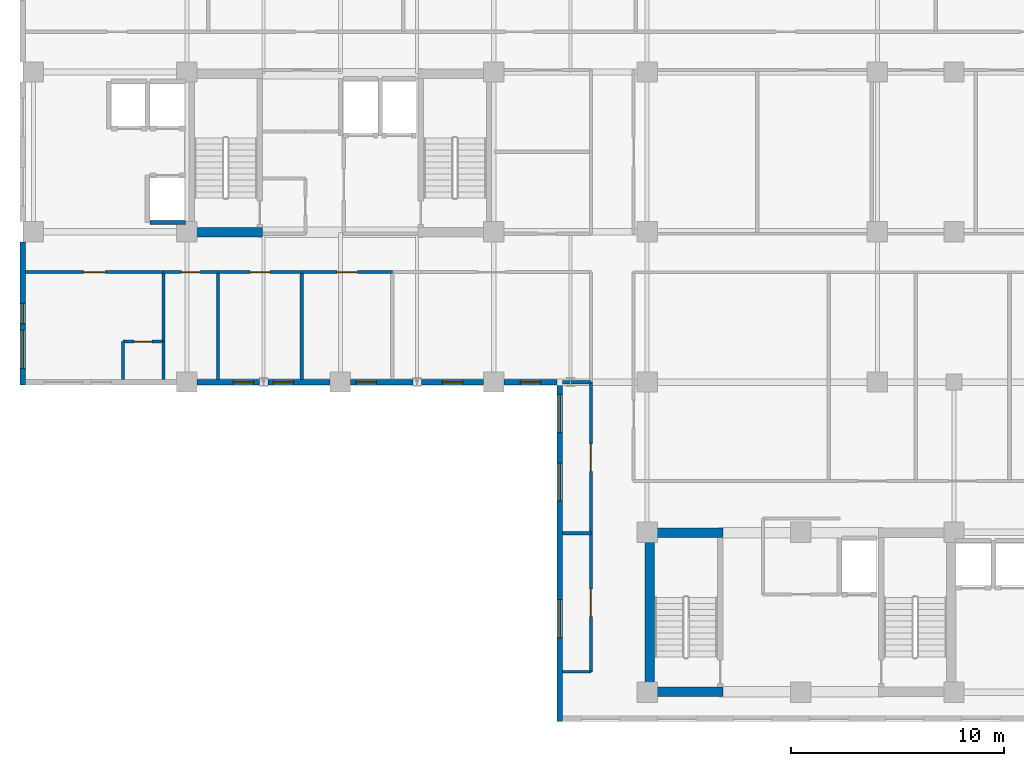
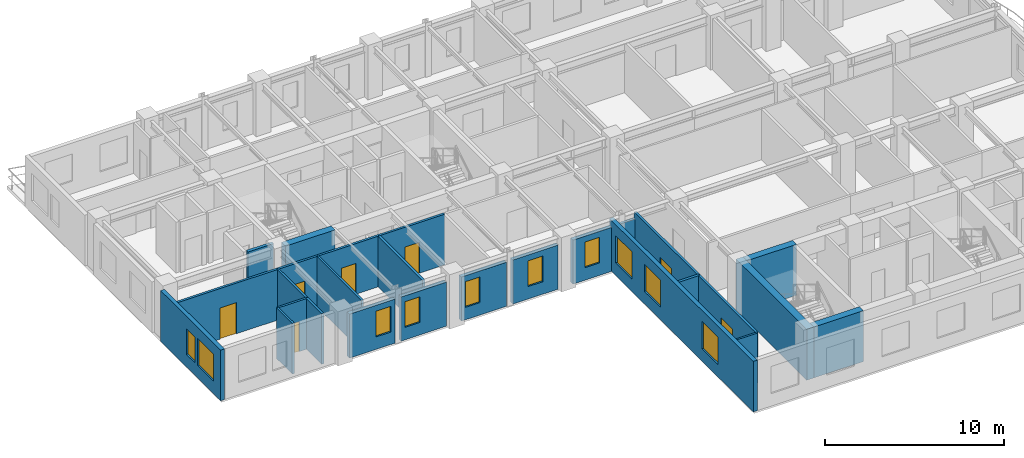
# One storey, part 5 of 13: 27 walls, 10 windows, 7 doors, 17 openings.
"""IFC4 building model written with IfcOpenShell, lengths in metres."""

from ifc_helpers import new_model, si_unit, direction, frame, frame_2d, origin, place, context, subcontext, project, spatial, rectangle, extrude, material, layer, layer_set, type_object, element, fill, save


model = new_model("IFC4")

# Units and contexts
model_context = context("Model", 3, precision=1e-05, world=origin(), true_north=direction((0.0, 1.0)))
body_context = subcontext(model_context, "Body", "Model", "MODEL_VIEW")
ifc_project = project(units=[si_unit("LENGTHUNIT", "METRE"), si_unit("AREAUNIT", "SQUARE_METRE"), si_unit("VOLUMEUNIT", "CUBIC_METRE"), si_unit("PLANEANGLEUNIT", "RADIAN"), si_unit("MASSUNIT", "GRAM", prefix="KILO")], contexts=[model_context])

# Site, building, storey
site_placement = place(None, origin())
site = spatial("IfcSite", under=ifc_project, at=site_placement, CompositionType="ELEMENT")
building_placement = place(site_placement, origin())
building = spatial("IfcBuilding", under=site, at=building_placement, Name="Kaliganga Portal Commons", CompositionType="ELEMENT")
storey_placement = place(building_placement, frame((0.0, 0.0, 209.199951171875)))
storey = spatial("IfcBuildingStorey", under=building, at=storey_placement, Name="L53", CompositionType="ELEMENT", Elevation=209.199951171875)

# Walls
ifc_material_1 = material(Name="Concrete C60/75", Category="concrete")
ifc_layer_1 = layer(ifc_material_1, 0.449951171875)
ifc_layer_set_1 = layer_set([ifc_layer_1], Name="Concrete C60/75")
wall_type_1 = type_object("IfcWallType", Name="WL-CORE-450", PredefinedType="SHEAR", material=ifc_layer_set_1)
wall_1_placement = place(storey_placement, frame((14.75, 28.625, 0.0), z_axis=(0.0, 0.0, 1.0), x_axis=(1.0, 0.0, 0.0)))
element("IfcWall", 1, at=wall_1_placement, inside=storey, type_object=wall_type_1, Name="Core A S-West Shear Wall L53", PredefinedType="SHEAR", context=body_context, shape_type="SweptSolid", body=[
    extrude(rectangle(XDim=3.199951171875, YDim=0.449951171875, at=frame_2d((1.60009765625, 0.0))), origin(), (0.0, 0.0, 1.0), 3.469970703125),
])
wall_2_placement = place(storey_placement, frame((36.125, 6.85009765625, 0.0), z_axis=(0.0, 0.0, 1.0), x_axis=(0.0, 1.0, 0.0)))
element("IfcWall", 2, at=wall_2_placement, inside=storey, type_object=wall_type_1, Name="Core B West Shear Wall L53", PredefinedType="SHEAR", context=body_context, shape_type="SweptSolid", body=[
    extrude(rectangle(XDim=7.89990234375, YDim=0.449951171875, at=frame_2d((3.949951171875, 0.0))), origin(), (0.0, 0.0, 1.0), 3.469970703125),
])
for number, where, z_axis, x_axis, name in (
    (3, (36.35009765625, 7.074951171875, 0.0), (0.0, 0.0, 1.0), (1.0, 0.0, 0.0), "Core B S-West Shear Wall L53"),
    (4, (36.35009765625, 14.52490234375, 0.0), (0.0, 0.0, 1.0), (1.0, 0.0, 0.0), "Core B N-West Shear Wall L53"),
):
    element("IfcWall", number, at=place(storey_placement, frame(where, z_axis=z_axis, x_axis=x_axis)), inside=storey, type_object=wall_type_1, Name=name, PredefinedType="SHEAR", context=body_context, shape_type="SweptSolid", body=[
        extrude(rectangle(XDim=3.199951171875, YDim=0.449951171875, at=frame_2d((1.60009765625, 0.0))), origin(), (0.0, 0.0, 1.0), 3.469970703125),
    ])

# Wall, openings, windows
ifc_material_2 = material(Name="Insulated Aluminium-Clad Spandrel Assembly", Category="aluminium")
ifc_layer_2 = layer(ifc_material_2, 0.260009765625)
ifc_layer_set_2 = layer_set([ifc_layer_2], Name="Insulated Aluminium-Clad Spandrel Assembly")
wall_type_2 = type_object("IfcWallType", Name="WL-EXT-SPAND-260", PredefinedType="STANDARD", material=ifc_layer_set_2)
wall_3_placement = place(storey_placement, frame((6.699951171875, 21.469970703125, 0.0), z_axis=(0.0, 0.0, 1.0), x_axis=(0.0, 1.0, 0.0)))
wall_3 = element("IfcWall", 5, at=wall_3_placement, inside=storey, type_object=wall_type_2, Name="Exterior Envelope Wall L53 P1-E03-S3", PredefinedType="STANDARD", context=body_context, shape_type="SweptSolid", body=[
    extrude(rectangle(XDim=6.7041015625, YDim=0.260009765625, at=frame_2d((3.35205078125, 0.0))), origin(), (0.0, 0.0, 1.0), 3.449951171875),
])
opening_1_placement = place(wall_3_placement, frame((0.77587890625, 0.0, 0.85009765625)))
opening_1 = element("IfcOpeningElement", 6, at=opening_1_placement, cuts=wall_3, Name="Opening W-01", PredefinedType="OPENING", context=body_context, shape_type="SweptSolid", body=[
    extrude(rectangle(XDim=1.800048828125, YDim=1.85009765625, at=frame_2d((0.89990234375, 0.925048828125))), frame((0.0, 0.14013671875, 0.0), z_axis=(0.0, -1.0, 0.0), x_axis=(1.0, 0.0, 0.0)), (0.0, 0.0, 1.0), 0.280029296875),
])
opening_2_placement = place(wall_3_placement, frame((2.876953125, 0.0, 0.85009765625)))
opening_2 = element("IfcOpeningElement", 7, at=opening_2_placement, cuts=wall_3, Name="Opening W-04", PredefinedType="OPENING", context=body_context, shape_type="SweptSolid", body=[
    extrude(rectangle(XDim=0.949951171875, YDim=1.75, at=frame_2d((0.47509765625, 0.875))), frame((0.0, 0.14013671875, 0.0), z_axis=(0.0, -1.0, 0.0), x_axis=(1.0, 0.0, 0.0)), (0.0, 0.0, 1.0), 0.280029296875),
])
ifc_material_3 = material(Name="Thermally Broken Aluminium and Low-E Double Glazing", Category="aluminium")
window_type_1 = type_object("IfcWindowType", Name="WIN-NARROW-950", PartitioningType="SINGLE_PANEL", PredefinedType="WINDOW", material=ifc_material_3)
window_1_placement = place(opening_2_placement, origin())
window_1 = element("IfcWindow", 8, at=window_1_placement, inside=storey, type_object=window_type_1, Name="Facade Window L53-P1E03S3-N0", OverallHeight=1.75, OverallWidth=0.949951171875, PartitioningType="SINGLE_PANEL", PredefinedType="WINDOW", context=body_context, shape_type="SweptSolid", body=[
    extrude(rectangle(XDim=0.949951171875, YDim=1.75, at=frame_2d((0.47509765625, 0.875))), frame((0.0, 0.030029296875, 0.0), z_axis=(0.0, -1.0, 0.0), x_axis=(1.0, 0.0, 0.0)), (0.0, 0.0, 1.0), 0.06005859375),
])
fill(opening_2, window_1)
window_type_2 = type_object("IfcWindowType", Name="WIN-STD-1800", PartitioningType="DOUBLE_PANEL_VERTICAL", PredefinedType="WINDOW", material=ifc_material_3)
window_2_placement = place(opening_1_placement, origin())
window_2 = element("IfcWindow", 9, at=window_2_placement, inside=storey, type_object=window_type_2, Name="Facade Window L53-P1E03S3-00", OverallHeight=1.85009765625, OverallWidth=1.800048828125, PartitioningType="SINGLE_PANEL", PredefinedType="WINDOW", context=body_context, shape_type="SweptSolid", body=[
    extrude(rectangle(XDim=1.800048828125, YDim=1.85009765625, at=frame_2d((0.89990234375, 0.925048828125))), frame((0.0, 0.030029296875, 0.0), z_axis=(0.0, -1.0, 0.0), x_axis=(1.0, 0.0, 0.0)), (0.0, 0.0, 1.0), 0.06005859375),
])
fill(opening_1, window_2)

# Wall, opening, window
wall_4_placement = place(storey_placement, frame((17.799560546875, 21.60009765625, 0.0), z_axis=(0.0, 0.0, 1.0), x_axis=(-1.0, 0.0, 0.0)))
wall_4 = element("IfcWall", 10, at=wall_4_placement, inside=storey, type_object=wall_type_2, Name="Exterior Envelope Wall L53 P1-E04-S2", PredefinedType="STANDARD", context=body_context, shape_type="SweptSolid", body=[
    extrude(rectangle(XDim=2.923583984375, YDim=0.260009765625, at=frame_2d((1.4619140625, 0.0))), origin(), (0.0, 0.0, 1.0), 3.0),
])
opening_3_placement = place(wall_4_placement, frame((0.26171875, 0.0, 0.85009765625)))
opening_3 = element("IfcOpeningElement", 11, at=opening_3_placement, cuts=wall_4, Name="Opening W-04", PredefinedType="OPENING", context=body_context, shape_type="SweptSolid", body=[
    extrude(rectangle(XDim=0.949951171875, YDim=1.75, at=frame_2d((0.47509765625, 0.875))), frame((0.0, 0.14013671875, 0.0), z_axis=(0.0, -1.0, 0.0), x_axis=(1.0, 0.0, 0.0)), (0.0, 0.0, 1.0), 0.280029296875),
])
window_3_placement = place(opening_3_placement, origin())
window_3 = element("IfcWindow", 12, at=window_3_placement, inside=storey, type_object=window_type_1, Name="Facade Window L53-P1E04S2-N1", OverallHeight=1.75, OverallWidth=0.949951171875, PartitioningType="SINGLE_PANEL", PredefinedType="WINDOW", context=body_context, shape_type="SweptSolid", body=[
    extrude(rectangle(XDim=0.949951171875, YDim=1.75, at=frame_2d((0.47509765625, 0.875))), frame((0.0, 0.030029296875, 0.0), z_axis=(0.0, -1.0, 0.0), x_axis=(1.0, 0.0, 0.0)), (0.0, 0.0, 1.0), 0.06005859375),
])
fill(opening_3, window_3)

wall_5_placement = place(storey_placement, frame((21.1240234375, 21.60009765625, 0.0), z_axis=(0.0, 0.0, 1.0), x_axis=(-1.0, 0.0, 0.0)))
wall_5 = element("IfcWall", 13, at=wall_5_placement, inside=storey, type_object=wall_type_2, Name="Exterior Envelope Wall L53 P1-E04-S3", PredefinedType="STANDARD", context=body_context, shape_type="SweptSolid", body=[
    extrude(rectangle(XDim=2.923583984375, YDim=0.260009765625, at=frame_2d((1.4619140625, 0.0))), origin(), (0.0, 0.0, 1.0), 3.0),
])
opening_4_placement = place(wall_5_placement, frame((1.7119140625, 0.0, 0.85009765625)))
opening_4 = element("IfcOpeningElement", 14, at=opening_4_placement, cuts=wall_5, Name="Opening W-04", PredefinedType="OPENING", context=body_context, shape_type="SweptSolid", body=[
    extrude(rectangle(XDim=0.949951171875, YDim=1.75, at=frame_2d((0.47509765625, 0.875))), frame((0.0, 0.14013671875, 0.0), z_axis=(0.0, -1.0, 0.0), x_axis=(1.0, 0.0, 0.0)), (0.0, 0.0, 1.0), 0.280029296875),
])
window_4_placement = place(opening_4_placement, origin())
window_4 = element("IfcWindow", 15, at=window_4_placement, inside=storey, type_object=window_type_1, Name="Facade Window L53-P1E04S3-N2", OverallHeight=1.75, OverallWidth=0.949951171875, PartitioningType="SINGLE_PANEL", PredefinedType="WINDOW", context=body_context, shape_type="SweptSolid", body=[
    extrude(rectangle(XDim=0.949951171875, YDim=1.75, at=frame_2d((0.47509765625, 0.875))), frame((0.0, 0.030029296875, 0.0), z_axis=(0.0, -1.0, 0.0), x_axis=(1.0, 0.0, 0.0)), (0.0, 0.0, 1.0), 0.06005859375),
])
fill(opening_4, window_4)

wall_6_placement = place(storey_placement, frame((24.99951171875, 21.60009765625, 0.0), z_axis=(0.0, 0.0, 1.0), x_axis=(-1.0, 0.0, 0.0)))
wall_6 = element("IfcWall", 16, at=wall_6_placement, inside=storey, type_object=wall_type_2, Name="Exterior Envelope Wall L53 P1-E04-S4", PredefinedType="STANDARD", context=body_context, shape_type="SweptSolid", body=[
    extrude(rectangle(XDim=2.923583984375, YDim=0.260009765625, at=frame_2d((1.4619140625, 0.0))), origin(), (0.0, 0.0, 1.0), 3.0),
])
opening_5_placement = place(wall_6_placement, frame((1.7119140625, 0.0, 0.85009765625)))
opening_5 = element("IfcOpeningElement", 17, at=opening_5_placement, cuts=wall_6, Name="Opening W-04", PredefinedType="OPENING", context=body_context, shape_type="SweptSolid", body=[
    extrude(rectangle(XDim=0.949951171875, YDim=1.75, at=frame_2d((0.47509765625, 0.875))), frame((0.0, 0.14013671875, 0.0), z_axis=(0.0, -1.0, 0.0), x_axis=(1.0, 0.0, 0.0)), (0.0, 0.0, 1.0), 0.280029296875),
])
window_5_placement = place(opening_5_placement, origin())
window_5 = element("IfcWindow", 18, at=window_5_placement, inside=storey, type_object=window_type_1, Name="Facade Window L53-P1E04S4-N2", OverallHeight=1.75, OverallWidth=0.949951171875, PartitioningType="SINGLE_PANEL", PredefinedType="WINDOW", context=body_context, shape_type="SweptSolid", body=[
    extrude(rectangle(XDim=0.949951171875, YDim=1.75, at=frame_2d((0.47509765625, 0.875))), frame((0.0, 0.030029296875, 0.0), z_axis=(0.0, -1.0, 0.0), x_axis=(1.0, 0.0, 0.0)), (0.0, 0.0, 1.0), 0.06005859375),
])
fill(opening_5, window_5)

wall_7_placement = place(storey_placement, frame((28.323974609375, 21.60009765625, 0.0), z_axis=(0.0, 0.0, 1.0), x_axis=(-1.0, 0.0, 0.0)))
wall_7 = element("IfcWall", 19, at=wall_7_placement, inside=storey, type_object=wall_type_2, Name="Exterior Envelope Wall L53 P1-E04-S5", PredefinedType="STANDARD", context=body_context, shape_type="SweptSolid", body=[
    extrude(rectangle(XDim=2.923583984375, YDim=0.260009765625, at=frame_2d((1.4619140625, 0.0))), origin(), (0.0, 0.0, 1.0), 3.0),
])
opening_6_placement = place(wall_7_placement, frame((0.98681640625, 0.0, 0.85009765625)))
opening_6 = element("IfcOpeningElement", 20, at=opening_6_placement, cuts=wall_7, Name="Opening W-04", PredefinedType="OPENING", context=body_context, shape_type="SweptSolid", body=[
    extrude(rectangle(XDim=0.949951171875, YDim=1.75, at=frame_2d((0.47509765625, 0.875))), frame((0.0, 0.14013671875, 0.0), z_axis=(0.0, -1.0, 0.0), x_axis=(1.0, 0.0, 0.0)), (0.0, 0.0, 1.0), 0.280029296875),
])
window_6_placement = place(opening_6_placement, origin())
window_6 = element("IfcWindow", 21, at=window_6_placement, inside=storey, type_object=window_type_1, Name="Facade Window L53-P1E04S5-00", OverallHeight=1.75, OverallWidth=0.949951171875, PartitioningType="SINGLE_PANEL", PredefinedType="WINDOW", context=body_context, shape_type="SweptSolid", body=[
    extrude(rectangle(XDim=0.949951171875, YDim=1.75, at=frame_2d((0.47509765625, 0.875))), frame((0.0, 0.030029296875, 0.0), z_axis=(0.0, -1.0, 0.0), x_axis=(1.0, 0.0, 0.0)), (0.0, 0.0, 1.0), 0.06005859375),
])
fill(opening_6, window_6)

wall_8_placement = place(storey_placement, frame((31.764892578125, 21.60009765625, 0.0), z_axis=(0.0, 0.0, 1.0), x_axis=(-1.0, 0.0, 0.0)))
wall_8 = element("IfcWall", 22, at=wall_8_placement, inside=storey, type_object=wall_type_2, Name="Exterior Envelope Wall L53 P1-E04-S6", PredefinedType="STANDARD", context=body_context, shape_type="SweptSolid", body=[
    extrude(rectangle(XDim=2.489013671875, YDim=0.260009765625, at=frame_2d((1.24462890625, 0.0))), origin(), (0.0, 0.0, 1.0), 3.0),
])
opening_7_placement = place(wall_8_placement, frame((0.76953125, 0.0, 0.85009765625)))
opening_7 = element("IfcOpeningElement", 23, at=opening_7_placement, cuts=wall_8, Name="Opening W-04", PredefinedType="OPENING", context=body_context, shape_type="SweptSolid", body=[
    extrude(rectangle(XDim=0.949951171875, YDim=1.75, at=frame_2d((0.47509765625, 0.875))), frame((0.0, 0.14013671875, 0.0), z_axis=(0.0, -1.0, 0.0), x_axis=(1.0, 0.0, 0.0)), (0.0, 0.0, 1.0), 0.280029296875),
])
window_7_placement = place(opening_7_placement, origin())
window_7 = element("IfcWindow", 24, at=window_7_placement, inside=storey, type_object=window_type_1, Name="Facade Window L53-P1E04S6-00", OverallHeight=1.75, OverallWidth=0.949951171875, PartitioningType="SINGLE_PANEL", PredefinedType="WINDOW", context=body_context, shape_type="SweptSolid", body=[
    extrude(rectangle(XDim=0.949951171875, YDim=1.75, at=frame_2d((0.47509765625, 0.875))), frame((0.0, 0.030029296875, 0.0), z_axis=(0.0, -1.0, 0.0), x_axis=(1.0, 0.0, 0.0)), (0.0, 0.0, 1.0), 0.06005859375),
])
fill(opening_7, window_7)

# Wall, openings, windows
wall_9_placement = place(storey_placement, frame((31.89990234375, 5.669921875, 0.0), z_axis=(0.0, 0.0, 1.0), x_axis=(0.0, 1.0, 0.0)))
wall_9 = element("IfcWall", 25, at=wall_9_placement, inside=storey, type_object=wall_type_2, Name="Exterior Envelope Wall L53 P1-E05-S1", PredefinedType="STANDARD", context=body_context, shape_type="SweptSolid", body=[
    extrude(rectangle(XDim=16.06005859375, YDim=0.260009765625, at=frame_2d((8.030029296875, 0.0))), origin(), (0.0, 0.0, 1.0), 3.449951171875),
])
opening_8_placement = place(wall_9_placement, frame((3.91796875, 0.0, 0.85009765625)))
opening_8 = element("IfcOpeningElement", 26, at=opening_8_placement, cuts=wall_9, Name="Opening W-01", PredefinedType="OPENING", context=body_context, shape_type="SweptSolid", body=[
    extrude(rectangle(XDim=1.800048828125, YDim=1.85009765625, at=frame_2d((0.89990234375, 0.925048828125))), frame((0.0, 0.14013671875, 0.0), z_axis=(0.0, -1.0, 0.0), x_axis=(1.0, 0.0, 0.0)), (0.0, 0.0, 1.0), 0.280029296875),
])
opening_9_placement = place(wall_9_placement, frame((10.342041015625, 0.0, 0.85009765625)))
opening_9 = element("IfcOpeningElement", 27, at=opening_9_placement, cuts=wall_9, Name="Opening W-01", PredefinedType="OPENING", context=body_context, shape_type="SweptSolid", body=[
    extrude(rectangle(XDim=1.800048828125, YDim=1.85009765625, at=frame_2d((0.89990234375, 0.925048828125))), frame((0.0, 0.14013671875, 0.0), z_axis=(0.0, -1.0, 0.0), x_axis=(1.0, 0.0, 0.0)), (0.0, 0.0, 1.0), 0.280029296875),
])
opening_10_placement = place(wall_9_placement, frame((13.553955078125, 0.0, 0.85009765625)))
opening_10 = element("IfcOpeningElement", 28, at=opening_10_placement, cuts=wall_9, Name="Opening W-01", PredefinedType="OPENING", context=body_context, shape_type="SweptSolid", body=[
    extrude(rectangle(XDim=1.800048828125, YDim=1.85009765625, at=frame_2d((0.89990234375, 0.925048828125))), frame((0.0, 0.14013671875, 0.0), z_axis=(0.0, -1.0, 0.0), x_axis=(1.0, 0.0, 0.0)), (0.0, 0.0, 1.0), 0.280029296875),
])
window_8_placement = place(opening_8_placement, origin())
window_8 = element("IfcWindow", 29, at=window_8_placement, inside=storey, type_object=window_type_2, Name="Facade Window L53-P1E05S1-01", OverallHeight=1.85009765625, OverallWidth=1.800048828125, PartitioningType="SINGLE_PANEL", PredefinedType="WINDOW", context=body_context, shape_type="SweptSolid", body=[
    extrude(rectangle(XDim=1.800048828125, YDim=1.85009765625, at=frame_2d((0.89990234375, 0.925048828125))), frame((0.0, 0.030029296875, 0.0), z_axis=(0.0, -1.0, 0.0), x_axis=(1.0, 0.0, 0.0)), (0.0, 0.0, 1.0), 0.06005859375),
])
fill(opening_8, window_8)
window_9_placement = place(opening_9_placement, origin())
window_9 = element("IfcWindow", 30, at=window_9_placement, inside=storey, type_object=window_type_2, Name="Facade Window L53-P1E05S1-03", OverallHeight=1.85009765625, OverallWidth=1.800048828125, PartitioningType="SINGLE_PANEL", PredefinedType="WINDOW", context=body_context, shape_type="SweptSolid", body=[
    extrude(rectangle(XDim=1.800048828125, YDim=1.85009765625, at=frame_2d((0.89990234375, 0.925048828125))), frame((0.0, 0.030029296875, 0.0), z_axis=(0.0, -1.0, 0.0), x_axis=(1.0, 0.0, 0.0)), (0.0, 0.0, 1.0), 0.06005859375),
])
fill(opening_9, window_9)
window_10_placement = place(opening_10_placement, origin())
window_10 = element("IfcWindow", 31, at=window_10_placement, inside=storey, type_object=window_type_2, Name="Facade Window L53-P1E05S1-04", OverallHeight=1.85009765625, OverallWidth=1.800048828125, PartitioningType="SINGLE_PANEL", PredefinedType="WINDOW", context=body_context, shape_type="SweptSolid", body=[
    extrude(rectangle(XDim=1.800048828125, YDim=1.85009765625, at=frame_2d((0.89990234375, 0.925048828125))), frame((0.0, 0.030029296875, 0.0), z_axis=(0.0, -1.0, 0.0), x_axis=(1.0, 0.0, 0.0)), (0.0, 0.0, 1.0), 0.06005859375),
])
fill(opening_10, window_10)

# Wall, opening, door
ifc_material_4 = material(Name="Fire-Rated Gypsum Board on Steel Stud", Category="steel")
ifc_layer_3 = layer(ifc_material_4, 0.14990234375)
ifc_layer_set_3 = layer_set([ifc_layer_3], Name="Fire-Rated Gypsum Board on Steel Stud")
wall_type_3 = type_object("IfcWallType", Name="WL-PART-CORR-150", PredefinedType="PARTITIONING", material=ifc_layer_set_3)
wall_10_placement = place(storey_placement, frame((33.360107421875, 14.5, 0.0), z_axis=(0.0, 0.0, 1.0), x_axis=(0.0, 1.0, 0.0)))
wall_10 = element("IfcWall", 32, at=wall_10_placement, inside=storey, type_object=wall_type_3, Name="Interior Partition L53-019", PredefinedType="PARTITIONING", context=body_context, shape_type="SweptSolid", body=[
    extrude(rectangle(XDim=7.10009765625, YDim=0.14990234375, at=frame_2d((3.550048828125, 0.0))), origin(), (0.0, 0.0, 1.0), 3.449951171875),
])
opening_11_placement = place(wall_10_placement, frame((2.89990234375, 0.0, 0.0)))
opening_11 = element("IfcOpeningElement", 33, at=opening_11_placement, cuts=wall_10, Name="Opening RD-03", PredefinedType="OPENING", context=body_context, shape_type="SweptSolid", body=[
    extrude(rectangle(XDim=1.300048828125, YDim=2.1201171875, at=frame_2d((0.64990234375, 1.06005859375))), frame((0.0, 0.0849609375, 0.0), z_axis=(0.0, -1.0, 0.0), x_axis=(1.0, 0.0, 0.0)), (0.0, 0.0, 1.0), 0.169921875),
])
ifc_material_5 = material(Name="Glazed Timber Seminar Vision Door", Category="wood")
door_type_1 = type_object("IfcDoorType", Name="DR-STUDY-1300", OperationType="DOUBLE_DOOR_SINGLE_SWING", PredefinedType="DOOR", material=ifc_material_5)
door_1_placement = place(opening_11_placement, origin())
door_1 = element("IfcDoor", 34, at=door_1_placement, inside=storey, type_object=door_type_1, Name="Interior Door L53-KW02", OperationType="DOUBLE_DOOR_SINGLE_SWING", OverallHeight=2.1201171875, OverallWidth=1.300048828125, PredefinedType="DOOR", context=body_context, shape_type="SweptSolid", body=[
    extrude(rectangle(XDim=1.300048828125, YDim=2.1201171875, at=frame_2d((0.64990234375, 1.06005859375))), frame((0.0, 0.02490234375, 0.0), z_axis=(0.0, -1.0, 0.0), x_axis=(1.0, 0.0, 0.0)), (0.0, 0.0, 1.0), 0.050048828125),
])
fill(opening_11, door_1)

wall_11_placement = place(storey_placement, frame((6.83203125, 26.760009765625, 0.0), z_axis=(0.0, 0.0, 1.0), x_axis=(1.0, 0.0, 0.0)))
wall_11 = element("IfcWall", 35, at=wall_11_placement, inside=storey, type_object=wall_type_3, Name="Interior Partition L53-020", PredefinedType="PARTITIONING", context=body_context, shape_type="SweptSolid", body=[
    extrude(rectangle(XDim=6.468017578125, YDim=0.14990234375, at=frame_2d((3.23388671875, 0.0))), origin(), (0.0, 0.0, 1.0), 3.449951171875),
])
opening_12_placement = place(wall_11_placement, frame((2.708984375, 0.0, 0.0)))
opening_12 = element("IfcOpeningElement", 36, at=opening_12_placement, cuts=wall_11, Name="Opening UD-02", PredefinedType="OPENING", context=body_context, shape_type="SweptSolid", body=[
    extrude(rectangle(XDim=1.050048828125, YDim=2.1201171875, at=frame_2d((0.52490234375, 1.06005859375))), frame((0.0, 0.0849609375, 0.0), z_axis=(0.0, -1.0, 0.0), x_axis=(1.0, 0.0, 0.0)), (0.0, 0.0, 1.0), 0.169921875),
])
ifc_material_6 = material(Name="Accessible Wide-Leaf Acoustic Fire Door", Category="wood")
door_type_2 = type_object("IfcDoorType", Name="DR-ACC-1050", OperationType="NOTDEFINED", PredefinedType="DOOR", material=ifc_material_6)
door_2_placement = place(opening_12_placement, origin())
door_2 = element("IfcDoor", 37, at=door_2_placement, inside=storey, type_object=door_type_2, Name="Interior Door L53-AS01", OperationType="SINGLE_SWING_LEFT", OverallHeight=2.1201171875, OverallWidth=1.050048828125, PredefinedType="DOOR", context=body_context, shape_type="SweptSolid", body=[
    extrude(rectangle(XDim=1.050048828125, YDim=2.1201171875, at=frame_2d((0.52490234375, 1.06005859375))), frame((0.0, 0.02490234375, 0.0), z_axis=(0.0, -1.0, 0.0), x_axis=(1.0, 0.0, 0.0)), (0.0, 0.0, 1.0), 0.050048828125),
])
fill(opening_12, door_2)

wall_12_placement = place(storey_placement, frame((33.360107421875, 8.0, 0.0), z_axis=(0.0, 0.0, 1.0), x_axis=(0.0, 1.0, 0.0)))
wall_12 = element("IfcWall", 38, at=wall_12_placement, inside=storey, type_object=wall_type_3, Name="Interior Partition L53-021", PredefinedType="PARTITIONING", context=body_context, shape_type="SweptSolid", body=[
    extrude(rectangle(XDim=6.5, YDim=0.14990234375, at=frame_2d((3.25, 0.0))), origin(), (0.0, 0.0, 1.0), 3.449951171875),
])
opening_13_placement = place(wall_12_placement, frame((2.60009765625, 0.0, 0.0)))
opening_13 = element("IfcOpeningElement", 39, at=opening_13_placement, cuts=wall_12, Name="Opening RD-03", PredefinedType="OPENING", context=body_context, shape_type="SweptSolid", body=[
    extrude(rectangle(XDim=1.300048828125, YDim=2.1201171875, at=frame_2d((0.64990234375, 1.06005859375))), frame((0.0, 0.0849609375, 0.0), z_axis=(0.0, -1.0, 0.0), x_axis=(1.0, 0.0, 0.0)), (0.0, 0.0, 1.0), 0.169921875),
])
door_3_placement = place(opening_13_placement, origin())
door_3 = element("IfcDoor", 40, at=door_3_placement, inside=storey, type_object=door_type_1, Name="Interior Door L53-KW01", OperationType="DOUBLE_DOOR_SINGLE_SWING", OverallHeight=2.1201171875, OverallWidth=1.300048828125, PredefinedType="DOOR", context=body_context, shape_type="SweptSolid", body=[
    extrude(rectangle(XDim=1.300048828125, YDim=2.1201171875, at=frame_2d((0.64990234375, 1.06005859375))), frame((0.0, 0.02490234375, 0.0), z_axis=(0.0, -1.0, 0.0), x_axis=(1.0, 0.0, 0.0)), (0.0, 0.0, 1.0), 0.050048828125),
])
fill(opening_13, door_3)

wall_13_placement = place(storey_placement, frame((19.800048828125, 26.760009765625, 0.0), z_axis=(0.0, 0.0, 1.0), x_axis=(1.0, 0.0, 0.0)))
wall_13 = element("IfcWall", 41, at=wall_13_placement, inside=storey, type_object=wall_type_3, Name="Interior Partition L53-030", PredefinedType="PARTITIONING", context=body_context, shape_type="SweptSolid", body=[
    extrude(rectangle(XDim=4.239990234375, YDim=0.14990234375, at=frame_2d((2.1201171875, 0.0))), origin(), (0.0, 0.0, 1.0), 3.449951171875),
])
opening_14_placement = place(wall_13_placement, frame((1.64501953125, 0.0, 0.0)))
opening_14 = element("IfcOpeningElement", 42, at=opening_14_placement, cuts=wall_13, Name="Opening UD-01", PredefinedType="OPENING", context=body_context, shape_type="SweptSolid", body=[
    extrude(rectangle(XDim=0.949951171875, YDim=2.10009765625, at=frame_2d((0.47509765625, 1.050048828125))), frame((0.0, 0.0849609375, 0.0), z_axis=(0.0, -1.0, 0.0), x_axis=(1.0, 0.0, 0.0)), (0.0, 0.0, 1.0), 0.169921875),
])
ifc_material_7 = material(Name="Solid-Core Timber Acoustic Fire Door", Category="wood")
door_type_3 = type_object("IfcDoorType", Name="DR-UNIT-950", OperationType="NOTDEFINED", PredefinedType="DOOR", material=ifc_material_7)
door_4_placement = place(opening_14_placement, origin())
door_4 = element("IfcDoor", 43, at=door_4_placement, inside=storey, type_object=door_type_3, Name="Interior Door L53-AS04", OperationType="SINGLE_SWING_RIGHT", OverallHeight=2.10009765625, OverallWidth=0.949951171875, PredefinedType="DOOR", context=body_context, shape_type="SweptSolid", body=[
    extrude(rectangle(XDim=0.949951171875, YDim=2.10009765625, at=frame_2d((0.47509765625, 1.050048828125))), frame((0.0, 0.02490234375, 0.0), z_axis=(0.0, -1.0, 0.0), x_axis=(1.0, 0.0, 0.0)), (0.0, 0.0, 1.0), 0.050048828125),
])
fill(opening_14, door_4)

wall_14_placement = place(storey_placement, frame((15.860107421875, 26.760009765625, 0.0), z_axis=(0.0, 0.0, 1.0), x_axis=(1.0, 0.0, 0.0)))
wall_14 = element("IfcWall", 44, at=wall_14_placement, inside=storey, type_object=wall_type_3, Name="Interior Partition L53-032", PredefinedType="PARTITIONING", context=body_context, shape_type="SweptSolid", body=[
    extrude(rectangle(XDim=3.93994140625, YDim=0.14990234375, at=frame_2d((1.969970703125, 0.0))), origin(), (0.0, 0.0, 1.0), 3.449951171875),
])
opening_15_placement = place(wall_14_placement, frame((1.4951171875, 0.0, 0.0)))
opening_15 = element("IfcOpeningElement", 45, at=opening_15_placement, cuts=wall_14, Name="Opening UD-01", PredefinedType="OPENING", context=body_context, shape_type="SweptSolid", body=[
    extrude(rectangle(XDim=0.949951171875, YDim=2.10009765625, at=frame_2d((0.47509765625, 1.050048828125))), frame((0.0, 0.0849609375, 0.0), z_axis=(0.0, -1.0, 0.0), x_axis=(1.0, 0.0, 0.0)), (0.0, 0.0, 1.0), 0.169921875),
])
door_5_placement = place(opening_15_placement, origin())
door_5 = element("IfcDoor", 46, at=door_5_placement, inside=storey, type_object=door_type_3, Name="Interior Door L53-AS03", OperationType="SINGLE_SWING_RIGHT", OverallHeight=2.10009765625, OverallWidth=0.949951171875, PredefinedType="DOOR", context=body_context, shape_type="SweptSolid", body=[
    extrude(rectangle(XDim=0.949951171875, YDim=2.10009765625, at=frame_2d((0.47509765625, 1.050048828125))), frame((0.0, 0.02490234375, 0.0), z_axis=(0.0, -1.0, 0.0), x_axis=(1.0, 0.0, 0.0)), (0.0, 0.0, 1.0), 0.050048828125),
])
fill(opening_15, door_5)

wall_15_placement = place(storey_placement, frame((13.300048828125, 26.760009765625, 0.0), z_axis=(0.0, 0.0, 1.0), x_axis=(1.0, 0.0, 0.0)))
wall_15 = element("IfcWall", 47, at=wall_15_placement, inside=storey, type_object=wall_type_3, Name="Interior Partition L53-040", PredefinedType="PARTITIONING", context=body_context, shape_type="SweptSolid", body=[
    extrude(rectangle(XDim=2.56005859375, YDim=0.14990234375, at=frame_2d((1.280029296875, 0.0))), origin(), (0.0, 0.0, 1.0), 3.449951171875),
])
opening_16_placement = place(wall_15_placement, frame((0.85498046875, 0.0, 0.0)))
opening_16 = element("IfcOpeningElement", 48, at=opening_16_placement, cuts=wall_15, Name="Opening WD-01", PredefinedType="OPENING", context=body_context, shape_type="SweptSolid", body=[
    extrude(rectangle(XDim=0.85009765625, YDim=2.0400390625, at=frame_2d((0.425048828125, 1.02001953125))), frame((0.0, 0.0849609375, 0.0), z_axis=(0.0, -1.0, 0.0), x_axis=(1.0, 0.0, 0.0)), (0.0, 0.0, 1.0), 0.169921875),
])
ifc_material_8 = material(Name="Moisture-Resistant Laminate Timber Door", Category="wood")
door_type_4 = type_object("IfcDoorType", Name="DR-WET-850", OperationType="NOTDEFINED", PredefinedType="DOOR", material=ifc_material_8)
door_6_placement = place(opening_16_placement, origin())
door_6 = element("IfcDoor", 49, at=door_6_placement, inside=storey, type_object=door_type_4, Name="Interior Door L53-AS02", OperationType="SINGLE_SWING_RIGHT", OverallHeight=2.0400390625, OverallWidth=0.85009765625, PredefinedType="DOOR", context=body_context, shape_type="SweptSolid", body=[
    extrude(rectangle(XDim=0.85009765625, YDim=2.0400390625, at=frame_2d((0.425048828125, 1.02001953125))), frame((0.0, 0.02490234375, 0.0), z_axis=(0.0, -1.0, 0.0), x_axis=(1.0, 0.0, 0.0)), (0.0, 0.0, 1.0), 0.050048828125),
])
fill(opening_16, door_6)

# Walls
ifc_material_9 = material(Name="Moisture-Resistant Gypsum Partition", Category="gypsum")
ifc_layer_4 = layer(ifc_material_9, 0.114990234375)
ifc_layer_set_4 = layer_set([ifc_layer_4], Name="Moisture-Resistant Gypsum Partition")
wall_type_4 = type_object("IfcWallType", Name="WL-PART-ROOM-115", PredefinedType="PARTITIONING", material=ifc_layer_set_4)
wall_16_placement = place(storey_placement, frame((32.031982421875, 8.0, 0.0), z_axis=(0.0, 0.0, 1.0), x_axis=(1.0, 0.0, 0.0)))
element("IfcWall", 50, at=wall_16_placement, inside=storey, type_object=wall_type_4, Name="Interior Partition L53-074", PredefinedType="PARTITIONING", context=body_context, shape_type="SweptSolid", body=[
    extrude(rectangle(XDim=1.328125, YDim=0.114990234375, at=frame_2d((0.6640625, 0.0))), origin(), (0.0, 0.0, 1.0), 3.449951171875),
])
ifc_material_10 = material(Name="Twin-Stud Acoustic Gypsum Partition", Category="gypsum")
ifc_layer_5 = layer(ifc_material_10, 0.1650390625)
ifc_layer_set_5 = layer_set([ifc_layer_5], Name="Twin-Stud Acoustic Gypsum Partition")
wall_type_5 = type_object("IfcWallType", Name="WL-PART-UNIT-165", PredefinedType="PARTITIONING", material=ifc_layer_set_5)
wall_17_placement = place(storey_placement, frame((19.800048828125, 21.73193359375, 0.0), z_axis=(0.0, 0.0, 1.0), x_axis=(0.0, 1.0, 0.0)))
element("IfcWall", 51, at=wall_17_placement, inside=storey, type_object=wall_type_5, Name="Interior Partition L53-063", PredefinedType="PARTITIONING", context=body_context, shape_type="SweptSolid", body=[
    extrude(rectangle(XDim=5.028076171875, YDim=0.1650390625, at=frame_2d((2.51416015625, 0.0))), origin(), (0.0, 0.0, 1.0), 3.449951171875),
])
wall_18_placement = place(storey_placement, frame((32.031982421875, 14.5, 0.0), z_axis=(0.0, 0.0, 1.0), x_axis=(1.0, 0.0, 0.0)))
element("IfcWall", 52, at=wall_18_placement, inside=storey, type_object=wall_type_5, Name="Interior Partition L53-075", PredefinedType="PARTITIONING", context=body_context, shape_type="SweptSolid", body=[
    extrude(rectangle(XDim=1.328125, YDim=0.1650390625, at=frame_2d((0.6640625, 0.0))), origin(), (0.0, 0.0, 1.0), 3.449951171875),
])
wall_19_placement = place(storey_placement, frame((32.031982421875, 21.60009765625, 0.0), z_axis=(0.0, 0.0, 1.0), x_axis=(1.0, 0.0, 0.0)))
element("IfcWall", 53, at=wall_19_placement, inside=storey, type_object=wall_type_5, Name="Interior Partition L53-076", PredefinedType="PARTITIONING", context=body_context, shape_type="SweptSolid", body=[
    extrude(rectangle(XDim=1.328125, YDim=0.1650390625, at=frame_2d((0.6640625, 0.0))), origin(), (0.0, 0.0, 1.0), 3.0),
])

# Wall, opening, door
ifc_material_11 = material(Name="Cement-Board Wet-Room Partition", Category="gypsum")
ifc_layer_6 = layer(ifc_material_11, 0.135009765625)
ifc_layer_set_6 = layer_set([ifc_layer_6], Name="Cement-Board Wet-Room Partition")
wall_type_6 = type_object("IfcWallType", Name="WL-PART-WET-135", PredefinedType="PARTITIONING", material=ifc_layer_set_6)
wall_20_placement = place(storey_placement, frame((11.39990234375, 23.5, 0.0), z_axis=(0.0, 0.0, 1.0), x_axis=(1.0, 0.0, 0.0)))
wall_20 = element("IfcWall", 54, at=wall_20_placement, inside=storey, type_object=wall_type_6, Name="Interior Partition L53-003", PredefinedType="PARTITIONING", context=body_context, shape_type="SweptSolid", body=[
    extrude(rectangle(XDim=1.900146484375, YDim=0.135009765625, at=frame_2d((0.9501953125, 0.0))), origin(), (0.0, 0.0, 1.0), 3.449951171875),
])
opening_17_placement = place(wall_20_placement, frame((0.52490234375, 0.0, 0.0)))
opening_17 = element("IfcOpeningElement", 55, at=opening_17_placement, cuts=wall_20, Name="Opening WD-01", PredefinedType="OPENING", context=body_context, shape_type="SweptSolid", body=[
    extrude(rectangle(XDim=0.85009765625, YDim=2.0400390625, at=frame_2d((0.425048828125, 1.02001953125))), frame((0.0, 0.07763671875, 0.0), z_axis=(0.0, -1.0, 0.0), x_axis=(1.0, 0.0, 0.0)), (0.0, 0.0, 1.0), 0.155029296875),
])
door_7_placement = place(opening_17_placement, origin())
door_7 = element("IfcDoor", 56, at=door_7_placement, inside=storey, type_object=door_type_4, Name="Interior Door L53-AS01E", OperationType="SINGLE_SWING_LEFT", OverallHeight=2.0400390625, OverallWidth=0.85009765625, PredefinedType="DOOR", context=body_context, shape_type="SweptSolid", body=[
    extrude(rectangle(XDim=0.85009765625, YDim=2.0400390625, at=frame_2d((0.425048828125, 1.02001953125))), frame((0.0, 0.02490234375, 0.0), z_axis=(0.0, -1.0, 0.0), x_axis=(1.0, 0.0, 0.0)), (0.0, 0.0, 1.0), 0.050048828125),
])
fill(opening_17, door_7)

# Walls
for number, where, z_axis, x_axis, name in (
    (57, (11.39990234375, 21.73193359375, 0.0), (0.0, 0.0, 1.0), (0.0, 1.0, 0.0), "Interior Partition L53-005"),
    (58, (13.300048828125, 21.73193359375, 0.0), (0.0, 0.0, 1.0), (0.0, 1.0, 0.0), "Interior Partition L53-006"),
):
    element("IfcWall", number, at=place(storey_placement, frame(where, z_axis=z_axis, x_axis=x_axis)), inside=storey, type_object=wall_type_6, Name=name, PredefinedType="PARTITIONING", context=body_context, shape_type="SweptSolid", body=[
        extrude(rectangle(XDim=1.76806640625, YDim=0.135009765625, at=frame_2d((0.884033203125, 0.0))), origin(), (0.0, 0.0, 1.0), 3.449951171875),
    ])
wall_21_placement = place(storey_placement, frame((15.860107421875, 21.73193359375, 0.0), z_axis=(0.0, 0.0, 1.0), x_axis=(0.0, 1.0, 0.0)))
element("IfcWall", 59, at=wall_21_placement, inside=storey, type_object=wall_type_6, Name="Interior Partition L53-062", PredefinedType="PARTITIONING", context=body_context, shape_type="SweptSolid", body=[
    extrude(rectangle(XDim=5.028076171875, YDim=0.135009765625, at=frame_2d((2.51416015625, 0.0))), origin(), (0.0, 0.0, 1.0), 3.449951171875),
])
wall_22_placement = place(storey_placement, frame((13.300048828125, 23.5, 0.0), z_axis=(0.0, 0.0, 1.0), x_axis=(0.0, 1.0, 0.0)))
element("IfcWall", 60, at=wall_22_placement, inside=storey, type_object=wall_type_6, Name="Interior Partition L53-072", PredefinedType="PARTITIONING", context=body_context, shape_type="SweptSolid", body=[
    extrude(rectangle(XDim=3.260009765625, YDim=0.135009765625, at=frame_2d((1.6298828125, 0.0))), origin(), (0.0, 0.0, 1.0), 3.449951171875),
])
ifc_material_12 = material(Name="Fire-Rated Shaftwall Masonry Assembly", Category="masonry")
ifc_layer_7 = layer(ifc_material_12, 0.199951171875)
ifc_layer_set_7 = layer_set([ifc_layer_7], Name="Fire-Rated Shaftwall Masonry Assembly")
wall_type_7 = type_object("IfcWallType", Name="WL-SHAFT-200", PredefinedType="PARTITIONING", material=ifc_layer_set_7)
wall_23_placement = place(storey_placement, frame((12.675048828125, 29.0849609375, 0.0), z_axis=(0.0, 0.0, 1.0), x_axis=(1.0, 0.0, 0.0)))
element("IfcWall", 61, at=wall_23_placement, inside=storey, type_object=wall_type_7, Name="Lift PL-A4 Hoistway Shaft Wall L53-S", PredefinedType="PARTITIONING", context=body_context, shape_type="SweptSolid", body=[
    extrude(rectangle(XDim=1.64990234375, YDim=0.199951171875, at=frame_2d((0.824951171875, 0.0))), origin(), (0.0, 0.0, 1.0), 3.449951171875),
])

save(model, "model.ifc")
